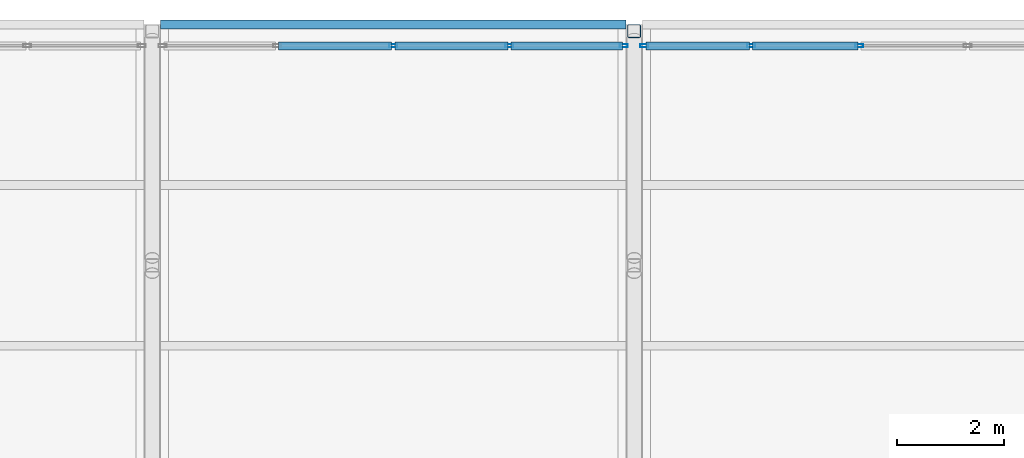
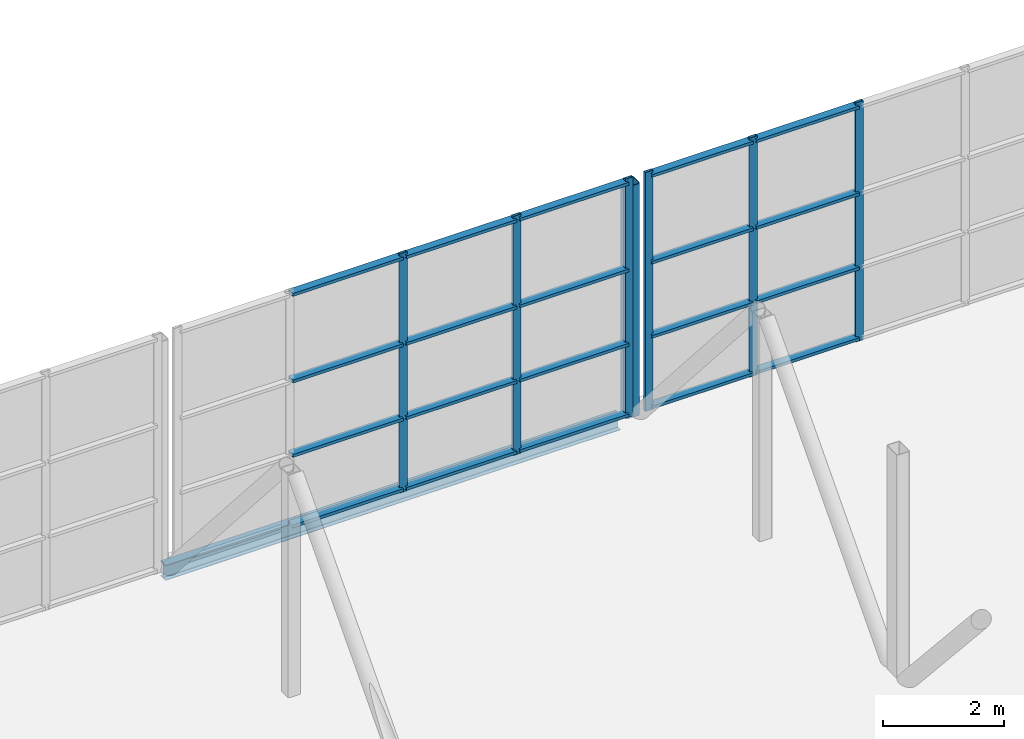
# One storey, part 69 of 94: 27 members, 1 beam, 2 elements without a shape of their own.
"""IFC4 building model written with IfcOpenShell, lengths in metres."""

import ifcopenshell
import ifcopenshell.guid

model = None  # the IFC model being written
_history = None  # IfcOwnerHistory: only IFC2X3 demands one
_inside = {}  # id of a spatial element -> (the spatial element, [elements in it])
_under = {}  # id of a project, library or spatial element -> (it, [spatial elements below it])
_declared = {}  # id of a project -> (the project, [libraries it declares])
_typed = {}  # id of a type object -> (the type object, [elements of that type])
_made_of = {}  # id of a material, layer set ... -> (it, [elements and type objects made of it])


def new_model(schema):
    """Start an empty IFC model of exactly this schema.

    Asked for "IFC4X3", IfcOpenShell would pick the latest addendum, in which some entities
    have other attributes; the version numbers below select the first issue.
    IFC2X3 requires an IfcOwnerHistory on every rooted entity: one is made here for all.
    """
    global model, _history
    if schema == "IFC4X3":
        model = ifcopenshell.file(schema_version=(4, 3, 0, 0))
    else:
        model = ifcopenshell.file(schema=schema)
    _inside.clear()
    _under.clear()
    _declared.clear()
    _typed.clear()
    _made_of.clear()
    _history = None
    if model.schema == "IFC2X3":
        org = make("IfcOrganization", Name="unknown")
        user = make(
            "IfcPersonAndOrganization",
            ThePerson=make("IfcPerson", FamilyName="unknown"),
            TheOrganization=org,
        )
        app = make(
            "IfcApplication",
            ApplicationDeveloper=org,
            Version="unknown",
            ApplicationFullName="unknown",
            ApplicationIdentifier="unknown",
        )
        _history = make(
            "IfcOwnerHistory",
            OwningUser=user,
            OwningApplication=app,
            ChangeAction="ADDED",
            CreationDate=0,
        )
    return model


def make(cls, **values):
    """One entity of the class cls with the attributes given. An attribute that is None is left unset."""
    return model.create_entity(
        cls, **{name: value for name, value in values.items() if value is not None}
    )


def rooted(cls, **values):
    """An entity with a GlobalId (a new one), such as an element, a storey or a relation."""
    return make(cls, GlobalId=ifcopenshell.guid.new(), OwnerHistory=_history, **values)


def si_unit(unit_type, name, prefix=None):
    """IfcSIUnit, for example si_unit("LENGTHUNIT", "METRE", prefix="MILLI")."""
    return make("IfcSIUnit", UnitType=unit_type, Prefix=prefix, Name=name)


def assignment(units):
    """IfcUnitAssignment: the units of a project."""
    return None if units is None else make("IfcUnitAssignment", Units=units)


def point(xyz):
    """IfcCartesianPoint."""
    return None if xyz is None else make("IfcCartesianPoint", Coordinates=xyz)


def direction(xyz):
    """IfcDirection."""
    return None if xyz is None else make("IfcDirection", DirectionRatios=xyz)


def frame(location, z_axis=None, x_axis=None):
    """IfcAxis2Placement3D, a coordinate frame: its origin and axes. An axis left out is left unset."""
    return make(
        "IfcAxis2Placement3D",
        Location=point(location),
        Axis=direction(z_axis),
        RefDirection=direction(x_axis),
    )


def frame_2d(location, x_axis=None):
    """IfcAxis2Placement2D, a coordinate frame in the plane: its origin and x axis."""
    return make(
        "IfcAxis2Placement2D", Location=point(location), RefDirection=direction(x_axis)
    )


def origin():
    """The frame at (0, 0, 0) with its axes left unset."""
    return frame((0.0, 0.0, 0.0))


def origin_2d():
    """The frame at (0, 0) in the plane with its x axis left unset."""
    return frame_2d((0.0, 0.0))


def place(relative_to, where):
    """IfcLocalPlacement: puts the frame where relative to a parent placement (None: the world)."""
    return make(
        "IfcLocalPlacement", PlacementRelTo=relative_to, RelativePlacement=where
    )


def context(
    kind, dimensions, precision=None, world=None, true_north=None, identifier=None
):
    """IfcGeometricRepresentationContext, for example the 3D "Model" context."""
    return make(
        "IfcGeometricRepresentationContext",
        ContextIdentifier=identifier,
        ContextType=kind,
        CoordinateSpaceDimension=dimensions,
        Precision=precision,
        WorldCoordinateSystem=world,
        TrueNorth=true_north,
    )


def subcontext(parent, identifier, kind, view, scale=None):
    """IfcGeometricRepresentationSubContext, for example "Body" below "Model"."""
    return make(
        "IfcGeometricRepresentationSubContext",
        ContextIdentifier=identifier,
        ContextType=kind,
        ParentContext=parent,
        TargetScale=scale,
        TargetView=view,
    )


def project(units=None, contexts=None):
    """IfcProject with its units and contexts."""
    return rooted(
        "IfcProject",
        Name="project",
        RepresentationContexts=contexts,
        UnitsInContext=assignment(units),
    )


def spatial(cls, under=None, at=None, **own):
    """A site, building, storey or space (cls), placed at a placement, below another one or the project."""
    s = rooted(cls, ObjectPlacement=at, **own)
    if under is not None:
        _under.setdefault(under.id(), (under, []))[1].append(s)
    return s


def profile(cls, at=None, kind="AREA", **sizes):
    """A parametric profile (cls). Its sizes go by their IFC names, for example OverallWidth=200.0."""
    return make(cls, ProfileType=kind, Position=at, **sizes)


def hollow_rectangle(**sizes):
    """IfcRectangleHollowProfileDef."""
    return profile("IfcRectangleHollowProfileDef", **sizes)


def i_section(**sizes):
    """IfcIShapeProfileDef."""
    return profile("IfcIShapeProfileDef", **sizes)


def extrude(swept, where, along, depth):
    """IfcExtrudedAreaSolid: the profile swept, set in the frame where, extruded along a direction by depth."""
    return make(
        "IfcExtrudedAreaSolid",
        SweptArea=swept,
        Position=where,
        ExtrudedDirection=direction(along),
        Depth=depth,
    )


def shape(context_of_items, identifier, shape_type, items):
    """IfcShapeRepresentation: the items that make up one representation, for example the "Body"."""
    return make(
        "IfcShapeRepresentation",
        ContextOfItems=context_of_items,
        RepresentationIdentifier=identifier,
        RepresentationType=shape_type,
        Items=items,
    )


def material(Name=None, Category=None):
    """IfcMaterial."""
    return make("IfcMaterial", Name=Name, Category=Category)


def layer(
    of_material, thickness, ventilated=None, Name=None, Category=None, Priority=None
):
    """IfcMaterialLayer: one layer of a wall or slab, of a material (None: an air gap)."""
    return make(
        "IfcMaterialLayer",
        Material=of_material,
        LayerThickness=thickness,
        IsVentilated=ventilated,
        Name=Name,
        Category=Category,
        Priority=Priority,
    )


def layer_set(layers, Name=None):
    """IfcMaterialLayerSet."""
    return make("IfcMaterialLayerSet", MaterialLayers=layers, LayerSetName=Name)


def material_profile(
    of_material, cross_section, Name=None, Category=None, Priority=None
):
    """IfcMaterialProfile: a cross section and its material."""
    return make(
        "IfcMaterialProfile",
        Name=Name,
        Material=of_material,
        Profile=cross_section,
        Priority=Priority,
        Category=Category,
    )


def profile_set(profiles, Name=None, composite=None):
    """IfcMaterialProfileSet."""
    return make(
        "IfcMaterialProfileSet",
        Name=Name,
        MaterialProfiles=profiles,
        CompositeProfile=composite,
    )


def made_of(thing, what):
    """Note that an element or type object is made of a material, layer set ...; save() writes the relation."""
    if what is not None:
        _made_of.setdefault(what.id(), (what, []))[1].append(thing)
    return thing


def type_object(cls, material=None, **own):
    """A type object (cls), such as IfcWallType, which elements share."""
    return made_of(rooted(cls, **own), material)


def element(
    cls,
    number,
    at=None,
    inside=None,
    cuts=None,
    type_object=None,
    material=None,
    context=None,
    identifier="Body",
    shape_type=None,
    held_by="IfcProductDefinitionShape",
    body=None,
    shapes=None,
    **own,
):
    """One element of the class cls, such as IfcWall. Its Tag is "e" and its number.

    at: its placement. inside: the storey or other place that contains it. cuts: it is an
    opening in that element (IfcRelVoidsElement). A single representation is given by context,
    identifier, shape_type and body (its items); several are given by shapes. held_by: the class
    of the entity that holds the representations. save() writes the other relations.
    """
    e = rooted(cls, Tag="e%d" % number, ObjectPlacement=at, **own)
    if body is not None:
        shapes = [shape(context, identifier, shape_type, body)]
    if shapes is not None:
        e.Representation = make(held_by, Representations=shapes)
    if inside is not None:
        _inside.setdefault(inside.id(), (inside, []))[1].append(e)
    if cuts is not None:
        rooted(
            "IfcRelVoidsElement", RelatingBuildingElement=cuts, RelatedOpeningElement=e
        )
    if type_object is not None:
        _typed.setdefault(type_object.id(), (type_object, []))[1].append(e)
    return made_of(e, material)


def aggregate(whole, parts):
    """IfcRelAggregates: a whole, such as a stair, and the parts it consists of."""
    return rooted("IfcRelAggregates", RelatingObject=whole, RelatedObjects=parts)


def save(model, path):
    """Write the relations noted so far, then the file.

    IfcRelAggregates (storeys below a building ...), IfcRelContainedInSpatialStructure (elements
    in a storey), IfcRelDefinesByType, IfcRelAssociatesMaterial and IfcRelDeclares: one each for
    every whole, place, type object, material and project.
    """
    for whole, parts in _under.values():
        aggregate(whole, parts)
    for where, things in _inside.values():
        rooted(
            "IfcRelContainedInSpatialStructure",
            RelatedElements=things,
            RelatingStructure=where,
        )
    for kind, things in _typed.values():
        rooted("IfcRelDefinesByType", RelatedObjects=things, RelatingType=kind)
    for what, things in _made_of.values():
        rooted("IfcRelAssociatesMaterial", RelatedObjects=things, RelatingMaterial=what)
    for by, libraries in _declared.values():
        rooted("IfcRelDeclares", RelatingContext=by, RelatedDefinitions=libraries)
    model.write(path)


model = new_model("IFC4")

# Units and contexts
model_context = context("Model", 3, precision=1e-05, world=origin(), true_north=direction((0.0, 1.0)))
body_context = subcontext(model_context, "Body", "Model", "MODEL_VIEW")
ifc_project = project(units=[si_unit("LENGTHUNIT", "METRE"), si_unit("AREAUNIT", "SQUARE_METRE"), si_unit("VOLUMEUNIT", "CUBIC_METRE"), si_unit("PLANEANGLEUNIT", "RADIAN"), si_unit("MASSUNIT", "GRAM", prefix="KILO")], contexts=[model_context])

# Site, building, storey
site_placement = place(None, origin())
site = spatial("IfcSite", under=ifc_project, at=site_placement, CompositionType="ELEMENT")
building_placement = place(site_placement, origin())
building = spatial("IfcBuilding", under=site, at=building_placement, Name="Shorebreak Coast Museum", CompositionType="ELEMENT")
storey_placement = place(building_placement, frame((0.0, 0.0, 31.0)))
storey = spatial("IfcBuildingStorey", under=building, at=storey_placement, Name="L05", CompositionType="ELEMENT", Elevation=31.0)

# Curtain wall, members
ifc_material_1 = material(Name="Aluminium", Category="aluminium")
ifc_layer = layer(ifc_material_1, 0.14990234375)
ifc_layer_set = layer_set([ifc_layer], Name="Aluminium")
curtain_wall_type = type_object("IfcCurtainWallType", Name="Barrel end glazing", PredefinedType="NOTDEFINED", material=ifc_layer_set)
curtain_wall_1_placement = place(storey_placement, origin())
curtain_wall_1 = element("IfcCurtainWall", 1, at=curtain_wall_1_placement, inside=storey, type_object=curtain_wall_type, Name="Barrel end glazing L05 6", PredefinedType="NOTDEFINED")
ifc_material_2 = material(Name="Aluminium", Category="aluminium")
ifc_material_profile_1 = material_profile(ifc_material_2, hollow_rectangle(XDim=0.06005859375, YDim=0.14990234375, WallThickness=0.00390625, at=origin_2d()), Name="AL 150x60 RHS")
ifc_profile_set_1 = profile_set([ifc_material_profile_1], Name="Aluminium")
member_type_1 = type_object("IfcMemberType", Name="Barrel mullion 60 x 150", PredefinedType="MULLION", material=ifc_profile_set_1)
member_1_placement = place(storey_placement, frame((103.5, 134.60009765625, 0.0), z_axis=(0.0, 0.0, 1.0), x_axis=(0.0, 1.0, 0.0)))
member_1 = element("IfcMember", 2, at=member_1_placement, type_object=member_type_1, Name="CW7 mullion 3", PredefinedType="MULLION", context=body_context, shape_type="SweptSolid", body=[
    extrude(hollow_rectangle(XDim=0.06005859375, YDim=0.14990234375, WallThickness=0.00390625, at=origin_2d()), origin(), (0.0, 0.0, 1.0), 4.824951171875),
])
member_2_placement = place(storey_placement, frame((105.6689453125, 134.60009765625, 0.0), z_axis=(0.0, 0.0, 1.0), x_axis=(0.0, 1.0, 0.0)))
member_2 = element("IfcMember", 3, at=member_2_placement, type_object=member_type_1, Name="CW7 mullion 4", PredefinedType="MULLION", context=body_context, shape_type="SweptSolid", body=[
    extrude(hollow_rectangle(XDim=0.06005859375, YDim=0.14990234375, WallThickness=0.00390625, at=origin_2d()), origin(), (0.0, 0.0, 1.0), 4.824951171875),
])
member_3_placement = place(storey_placement, frame((107.80810546875, 134.60009765625, 0.0), z_axis=(0.0, 0.0, 1.0), x_axis=(0.0, 1.0, 0.0)))
member_3 = element("IfcMember", 4, at=member_3_placement, type_object=member_type_1, Name="CW7 mullion 5", PredefinedType="MULLION", context=body_context, shape_type="SweptSolid", body=[
    extrude(hollow_rectangle(XDim=0.06005859375, YDim=0.14990234375, WallThickness=0.00390625, at=origin_2d()), origin(), (0.0, 0.0, 1.0), 4.824951171875),
])

curtain_wall_2_placement = place(storey_placement, origin())
curtain_wall_2 = element("IfcCurtainWall", 5, at=curtain_wall_2_placement, inside=storey, type_object=curtain_wall_type, Name="Barrel end glazing L05 7", PredefinedType="NOTDEFINED")
member_4_placement = place(storey_placement, frame((108.19189453125, 134.60009765625, 0.0), z_axis=(0.0, 0.0, 1.0), x_axis=(0.0, 1.0, 0.0)))
member_4 = element("IfcMember", 6, at=member_4_placement, type_object=member_type_1, Name="CW7 mullion 1", PredefinedType="MULLION", context=body_context, shape_type="SweptSolid", body=[
    extrude(hollow_rectangle(XDim=0.06005859375, YDim=0.14990234375, WallThickness=0.00390625, at=origin_2d()), origin(), (0.0, 0.0, 1.0), 4.824951171875),
])
member_5_placement = place(storey_placement, frame((110.18408203125, 134.60009765625, 0.0), z_axis=(0.0, 0.0, 1.0), x_axis=(0.0, 1.0, 0.0)))
member_5 = element("IfcMember", 7, at=member_5_placement, type_object=member_type_1, Name="CW7 mullion 2", PredefinedType="MULLION", context=body_context, shape_type="SweptSolid", body=[
    extrude(hollow_rectangle(XDim=0.06005859375, YDim=0.14990234375, WallThickness=0.00390625, at=origin_2d()), origin(), (0.0, 0.0, 1.0), 4.824951171875),
])
member_6_placement = place(storey_placement, frame((112.2060546875, 134.60009765625, 0.0), z_axis=(0.0, 0.0, 1.0), x_axis=(0.0, 1.0, 0.0)))
member_6 = element("IfcMember", 8, at=member_6_placement, type_object=member_type_1, Name="CW7 mullion 3", PredefinedType="MULLION", context=body_context, shape_type="SweptSolid", body=[
    extrude(hollow_rectangle(XDim=0.06005859375, YDim=0.14990234375, WallThickness=0.00390625, at=origin_2d()), origin(), (0.0, 0.0, 1.0), 4.824951171875),
])

# Member
ifc_material_3 = material(Name="Aluminium", Category="aluminium")
ifc_material_profile_2 = material_profile(ifc_material_3, hollow_rectangle(XDim=0.14990234375, YDim=0.06005859375, WallThickness=0.00390625, at=origin_2d()), Name="AL 60x150 RHS")
ifc_profile_set_2 = profile_set([ifc_material_profile_2], Name="Aluminium")
member_type_2 = type_object("IfcMemberType", Name="Barrel transom 150 x 60", PredefinedType="USERDEFINED", material=ifc_profile_set_2)
member_7_placement = place(storey_placement, frame((101.361083984375, 134.60009765625, 0.074951171875), z_axis=(1.0, 0.0, 0.0), x_axis=(0.0, 1.0, 0.0)))
member_7 = element("IfcMember", 9, at=member_7_placement, type_object=member_type_2, Name="CW7 transom 2.1", ObjectType="TRANSOM", PredefinedType="USERDEFINED", context=body_context, shape_type="SweptSolid", body=[
    extrude(hollow_rectangle(XDim=0.14990234375, YDim=0.06005859375, WallThickness=0.00390625, at=origin_2d()), origin(), (0.0, 0.0, 1.0), 2.10888671875),
])

member_8_placement = place(storey_placement, frame((101.361083984375, 134.60009765625, 1.5), z_axis=(1.0, 0.0, 0.0), x_axis=(0.0, 1.0, 0.0)))
member_8 = element("IfcMember", 10, at=member_8_placement, type_object=member_type_2, Name="CW7 transom 2.2", ObjectType="TRANSOM", PredefinedType="USERDEFINED", context=body_context, shape_type="SweptSolid", body=[
    extrude(hollow_rectangle(XDim=0.14990234375, YDim=0.06005859375, WallThickness=0.00390625, at=origin_2d()), origin(), (0.0, 0.0, 1.0), 2.10888671875),
])

member_9_placement = place(storey_placement, frame((101.361083984375, 134.60009765625, 3.0), z_axis=(1.0, 0.0, 0.0), x_axis=(0.0, 1.0, 0.0)))
member_9 = element("IfcMember", 11, at=member_9_placement, type_object=member_type_2, Name="CW7 transom 2.3", ObjectType="TRANSOM", PredefinedType="USERDEFINED", context=body_context, shape_type="SweptSolid", body=[
    extrude(hollow_rectangle(XDim=0.14990234375, YDim=0.06005859375, WallThickness=0.00390625, at=origin_2d()), origin(), (0.0, 0.0, 1.0), 2.10888671875),
])

member_10_placement = place(storey_placement, frame((101.361083984375, 134.60009765625, 4.75), z_axis=(1.0, 0.0, 0.0), x_axis=(0.0, 1.0, 0.0)))
member_10 = element("IfcMember", 12, at=member_10_placement, type_object=member_type_2, Name="CW7 transom 2.4", ObjectType="TRANSOM", PredefinedType="USERDEFINED", context=body_context, shape_type="SweptSolid", body=[
    extrude(hollow_rectangle(XDim=0.14990234375, YDim=0.06005859375, WallThickness=0.00390625, at=origin_2d()), origin(), (0.0, 0.0, 1.0), 2.10888671875),
])

member_11_placement = place(storey_placement, frame((103.530029296875, 134.60009765625, 0.074951171875), z_axis=(1.0, 0.0, 0.0), x_axis=(0.0, 1.0, 0.0)))
member_11 = element("IfcMember", 13, at=member_11_placement, type_object=member_type_2, Name="CW7 transom 3.1", ObjectType="TRANSOM", PredefinedType="USERDEFINED", context=body_context, shape_type="SweptSolid", body=[
    extrude(hollow_rectangle(XDim=0.14990234375, YDim=0.06005859375, WallThickness=0.00390625, at=origin_2d()), origin(), (0.0, 0.0, 1.0), 2.10888671875),
])

member_12_placement = place(storey_placement, frame((103.530029296875, 134.60009765625, 1.5), z_axis=(1.0, 0.0, 0.0), x_axis=(0.0, 1.0, 0.0)))
member_12 = element("IfcMember", 14, at=member_12_placement, type_object=member_type_2, Name="CW7 transom 3.2", ObjectType="TRANSOM", PredefinedType="USERDEFINED", context=body_context, shape_type="SweptSolid", body=[
    extrude(hollow_rectangle(XDim=0.14990234375, YDim=0.06005859375, WallThickness=0.00390625, at=origin_2d()), origin(), (0.0, 0.0, 1.0), 2.10888671875),
])

member_13_placement = place(storey_placement, frame((103.530029296875, 134.60009765625, 3.0), z_axis=(1.0, 0.0, 0.0), x_axis=(0.0, 1.0, 0.0)))
member_13 = element("IfcMember", 15, at=member_13_placement, type_object=member_type_2, Name="CW7 transom 3.3", ObjectType="TRANSOM", PredefinedType="USERDEFINED", context=body_context, shape_type="SweptSolid", body=[
    extrude(hollow_rectangle(XDim=0.14990234375, YDim=0.06005859375, WallThickness=0.00390625, at=origin_2d()), origin(), (0.0, 0.0, 1.0), 2.10888671875),
])

member_14_placement = place(storey_placement, frame((103.530029296875, 134.60009765625, 4.75), z_axis=(1.0, 0.0, 0.0), x_axis=(0.0, 1.0, 0.0)))
member_14 = element("IfcMember", 16, at=member_14_placement, type_object=member_type_2, Name="CW7 transom 3.4", ObjectType="TRANSOM", PredefinedType="USERDEFINED", context=body_context, shape_type="SweptSolid", body=[
    extrude(hollow_rectangle(XDim=0.14990234375, YDim=0.06005859375, WallThickness=0.00390625, at=origin_2d()), origin(), (0.0, 0.0, 1.0), 2.10888671875),
])

member_15_placement = place(storey_placement, frame((105.698974609375, 134.60009765625, 0.074951171875), z_axis=(1.0, 0.0, 0.0), x_axis=(0.0, 1.0, 0.0)))
member_15 = element("IfcMember", 17, at=member_15_placement, type_object=member_type_2, Name="CW7 transom 4.1", ObjectType="TRANSOM", PredefinedType="USERDEFINED", context=body_context, shape_type="SweptSolid", body=[
    extrude(hollow_rectangle(XDim=0.14990234375, YDim=0.06005859375, WallThickness=0.00390625, at=origin_2d()), origin(), (0.0, 0.0, 1.0), 2.0791015625),
])

member_16_placement = place(storey_placement, frame((105.698974609375, 134.60009765625, 1.5), z_axis=(1.0, 0.0, 0.0), x_axis=(0.0, 1.0, 0.0)))
member_16 = element("IfcMember", 18, at=member_16_placement, type_object=member_type_2, Name="CW7 transom 4.2", ObjectType="TRANSOM", PredefinedType="USERDEFINED", context=body_context, shape_type="SweptSolid", body=[
    extrude(hollow_rectangle(XDim=0.14990234375, YDim=0.06005859375, WallThickness=0.00390625, at=origin_2d()), origin(), (0.0, 0.0, 1.0), 2.0791015625),
])

member_17_placement = place(storey_placement, frame((105.698974609375, 134.60009765625, 3.0), z_axis=(1.0, 0.0, 0.0), x_axis=(0.0, 1.0, 0.0)))
member_17 = element("IfcMember", 19, at=member_17_placement, type_object=member_type_2, Name="CW7 transom 4.3", ObjectType="TRANSOM", PredefinedType="USERDEFINED", context=body_context, shape_type="SweptSolid", body=[
    extrude(hollow_rectangle(XDim=0.14990234375, YDim=0.06005859375, WallThickness=0.00390625, at=origin_2d()), origin(), (0.0, 0.0, 1.0), 2.0791015625),
])

member_18_placement = place(storey_placement, frame((105.698974609375, 134.60009765625, 4.75), z_axis=(1.0, 0.0, 0.0), x_axis=(0.0, 1.0, 0.0)))
member_18 = element("IfcMember", 20, at=member_18_placement, type_object=member_type_2, Name="CW7 transom 4.4", ObjectType="TRANSOM", PredefinedType="USERDEFINED", context=body_context, shape_type="SweptSolid", body=[
    extrude(hollow_rectangle(XDim=0.14990234375, YDim=0.06005859375, WallThickness=0.00390625, at=origin_2d()), origin(), (0.0, 0.0, 1.0), 2.0791015625),
])

aggregate(curtain_wall_1, [member_1, member_2, member_3, member_7, member_8, member_9, member_10, member_11, member_12, member_13, member_14, member_15, member_16, member_17, member_18])

member_19_placement = place(storey_placement, frame((108.221923828125, 134.60009765625, 0.074951171875), z_axis=(1.0, 0.0, 0.0), x_axis=(0.0, 1.0, 0.0)))
member_19 = element("IfcMember", 21, at=member_19_placement, type_object=member_type_2, Name="CW7 transom 1.1", ObjectType="TRANSOM", PredefinedType="USERDEFINED", context=body_context, shape_type="SweptSolid", body=[
    extrude(hollow_rectangle(XDim=0.14990234375, YDim=0.06005859375, WallThickness=0.00390625, at=origin_2d()), origin(), (0.0, 0.0, 1.0), 1.93212890625),
])

member_20_placement = place(storey_placement, frame((108.221923828125, 134.60009765625, 1.5), z_axis=(1.0, 0.0, 0.0), x_axis=(0.0, 1.0, 0.0)))
member_20 = element("IfcMember", 22, at=member_20_placement, type_object=member_type_2, Name="CW7 transom 1.2", ObjectType="TRANSOM", PredefinedType="USERDEFINED", context=body_context, shape_type="SweptSolid", body=[
    extrude(hollow_rectangle(XDim=0.14990234375, YDim=0.06005859375, WallThickness=0.00390625, at=origin_2d()), origin(), (0.0, 0.0, 1.0), 1.93212890625),
])

member_21_placement = place(storey_placement, frame((108.221923828125, 134.60009765625, 3.0), z_axis=(1.0, 0.0, 0.0), x_axis=(0.0, 1.0, 0.0)))
member_21 = element("IfcMember", 23, at=member_21_placement, type_object=member_type_2, Name="CW7 transom 1.3", ObjectType="TRANSOM", PredefinedType="USERDEFINED", context=body_context, shape_type="SweptSolid", body=[
    extrude(hollow_rectangle(XDim=0.14990234375, YDim=0.06005859375, WallThickness=0.00390625, at=origin_2d()), origin(), (0.0, 0.0, 1.0), 1.93212890625),
])

member_22_placement = place(storey_placement, frame((108.221923828125, 134.60009765625, 4.75), z_axis=(1.0, 0.0, 0.0), x_axis=(0.0, 1.0, 0.0)))
member_22 = element("IfcMember", 24, at=member_22_placement, type_object=member_type_2, Name="CW7 transom 1.4", ObjectType="TRANSOM", PredefinedType="USERDEFINED", context=body_context, shape_type="SweptSolid", body=[
    extrude(hollow_rectangle(XDim=0.14990234375, YDim=0.06005859375, WallThickness=0.00390625, at=origin_2d()), origin(), (0.0, 0.0, 1.0), 1.93212890625),
])

member_23_placement = place(storey_placement, frame((110.214111328125, 134.60009765625, 0.074951171875), z_axis=(1.0, 0.0, 0.0), x_axis=(0.0, 1.0, 0.0)))
member_23 = element("IfcMember", 25, at=member_23_placement, type_object=member_type_2, Name="CW7 transom 2.1", ObjectType="TRANSOM", PredefinedType="USERDEFINED", context=body_context, shape_type="SweptSolid", body=[
    extrude(hollow_rectangle(XDim=0.14990234375, YDim=0.06005859375, WallThickness=0.00390625, at=origin_2d()), origin(), (0.0, 0.0, 1.0), 1.9619140625),
])

member_24_placement = place(storey_placement, frame((110.214111328125, 134.60009765625, 1.5), z_axis=(1.0, 0.0, 0.0), x_axis=(0.0, 1.0, 0.0)))
member_24 = element("IfcMember", 26, at=member_24_placement, type_object=member_type_2, Name="CW7 transom 2.2", ObjectType="TRANSOM", PredefinedType="USERDEFINED", context=body_context, shape_type="SweptSolid", body=[
    extrude(hollow_rectangle(XDim=0.14990234375, YDim=0.06005859375, WallThickness=0.00390625, at=origin_2d()), origin(), (0.0, 0.0, 1.0), 1.9619140625),
])

member_25_placement = place(storey_placement, frame((110.214111328125, 134.60009765625, 3.0), z_axis=(1.0, 0.0, 0.0), x_axis=(0.0, 1.0, 0.0)))
member_25 = element("IfcMember", 27, at=member_25_placement, type_object=member_type_2, Name="CW7 transom 2.3", ObjectType="TRANSOM", PredefinedType="USERDEFINED", context=body_context, shape_type="SweptSolid", body=[
    extrude(hollow_rectangle(XDim=0.14990234375, YDim=0.06005859375, WallThickness=0.00390625, at=origin_2d()), origin(), (0.0, 0.0, 1.0), 1.9619140625),
])

member_26_placement = place(storey_placement, frame((110.214111328125, 134.60009765625, 4.75), z_axis=(1.0, 0.0, 0.0), x_axis=(0.0, 1.0, 0.0)))
member_26 = element("IfcMember", 28, at=member_26_placement, type_object=member_type_2, Name="CW7 transom 2.4", ObjectType="TRANSOM", PredefinedType="USERDEFINED", context=body_context, shape_type="SweptSolid", body=[
    extrude(hollow_rectangle(XDim=0.14990234375, YDim=0.06005859375, WallThickness=0.00390625, at=origin_2d()), origin(), (0.0, 0.0, 1.0), 1.9619140625),
])

aggregate(curtain_wall_2, [member_4, member_5, member_6, member_19, member_20, member_21, member_22, member_23, member_24, member_25, member_26])

# Beam
ifc_material_4 = material(Name="Steel Grade 300", Category="steel")
ifc_material_profile_3 = material_profile(ifc_material_4, i_section(OverallWidth=0.166015625, OverallDepth=0.30712890625, WebThickness=0.006591796875, FlangeThickness=0.01171875, FilletRadius=0.011474609375, at=origin_2d()), Name="310UB46.2")
ifc_profile_set_3 = profile_set([ifc_material_profile_3], Name="Steel Grade 300")
beam_type = type_object("IfcBeamType", Name="Floor girder east-west 310UB46.2", PredefinedType="BEAM", material=ifc_profile_set_3)
beam_placement = place(storey_placement, frame((99.155517578125, 135.0, -0.32861328125), z_axis=(1.0, 0.0, 0.0), x_axis=(0.0, 1.0, 0.0)))
element("IfcBeam", 29, at=beam_placement, inside=storey, type_object=beam_type, Name="Floor girder east-west L05 12S", PredefinedType="BEAM", context=body_context, shape_type="SweptSolid", body=[
    extrude(i_section(OverallWidth=0.166015625, OverallDepth=0.30712890625, WebThickness=0.006591796875, FlangeThickness=0.01171875, FilletRadius=0.011474609375, at=origin_2d()), origin(), (0.0, 0.0, 1.0), 8.68896484375),
])

# Member
ifc_material_5 = material(Name="Steel Grade C450L0", Category="steel")
ifc_material_profile_4 = material_profile(ifc_material_5, hollow_rectangle(XDim=0.25, YDim=0.25, WallThickness=0.012451171875, InnerFilletRadius=0.018798828125, OuterFilletRadius=0.03125, at=origin_2d()), Name="250x250x12.5 SHS")
ifc_profile_set_4 = profile_set([ifc_material_profile_4], Name="Steel Grade C450L0")
member_type_3 = type_object("IfcMemberType", Name="Transfer truss strut 250x250x12.5 SHS", PredefinedType="STRUT", material=ifc_profile_set_4)
member_27_placement = place(storey_placement, frame((108.0, 134.875, -0.175048828125), z_axis=(0.0, 0.0, 1.0), x_axis=(1.0, 0.0, 0.0)))
element("IfcMember", 30, at=member_27_placement, inside=storey, type_object=member_type_3, Name="Transfer truss TR7 strut V07", PredefinedType="STRUT", context=body_context, shape_type="SweptSolid", body=[
    extrude(hollow_rectangle(XDim=0.25, YDim=0.25, WallThickness=0.012451171875, InnerFilletRadius=0.018798828125, OuterFilletRadius=0.03125, at=origin_2d()), origin(), (0.0, 0.0, 1.0), 4.679443359375),
])

save(model, "model.ifc")
